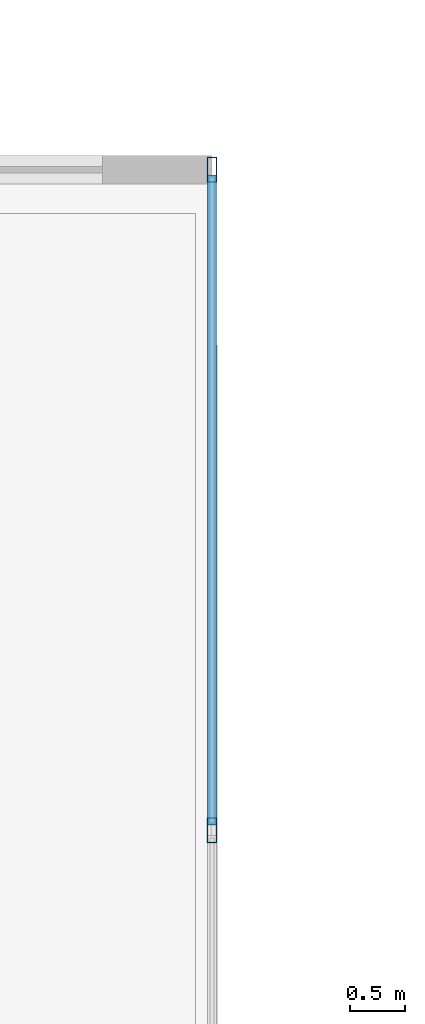
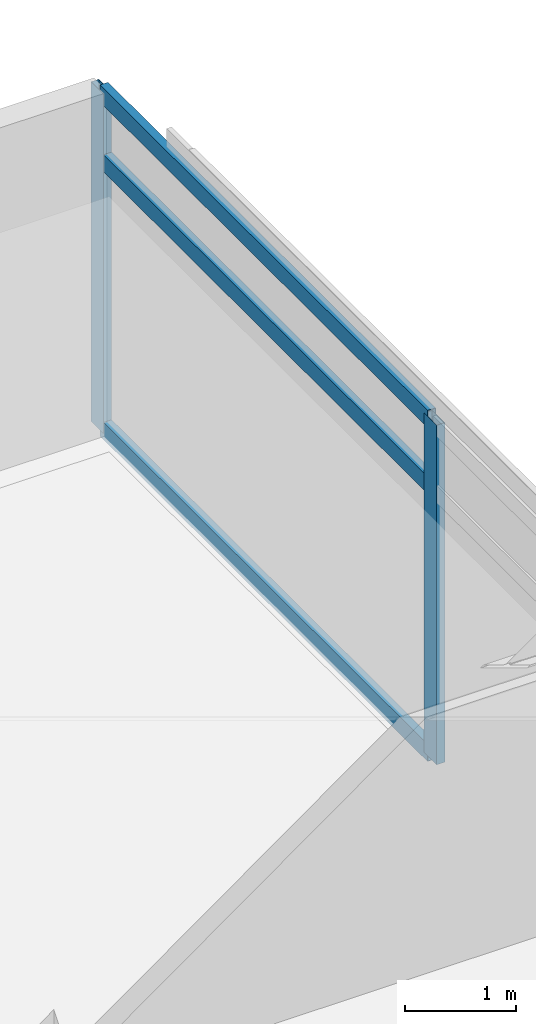
# One storey, part 11 of 20: 5 members, 1 element without a shape of its own.
"""IFC4 building model written with IfcOpenShell, lengths in metres."""

import ifcopenshell
import ifcopenshell.guid

model = None  # the IFC model being written
_history = None  # IfcOwnerHistory: only IFC2X3 demands one
_inside = {}  # id of a spatial element -> (the spatial element, [elements in it])
_under = {}  # id of a project, library or spatial element -> (it, [spatial elements below it])
_declared = {}  # id of a project -> (the project, [libraries it declares])
_typed = {}  # id of a type object -> (the type object, [elements of that type])
_made_of = {}  # id of a material, layer set ... -> (it, [elements and type objects made of it])


def new_model(schema):
    """Start an empty IFC model of exactly this schema.

    Asked for "IFC4X3", IfcOpenShell would pick the latest addendum, in which some entities
    have other attributes; the version numbers below select the first issue.
    IFC2X3 requires an IfcOwnerHistory on every rooted entity: one is made here for all.
    """
    global model, _history
    if schema == "IFC4X3":
        model = ifcopenshell.file(schema_version=(4, 3, 0, 0))
    else:
        model = ifcopenshell.file(schema=schema)
    _inside.clear()
    _under.clear()
    _declared.clear()
    _typed.clear()
    _made_of.clear()
    _history = None
    if model.schema == "IFC2X3":
        org = make("IfcOrganization", Name="unknown")
        user = make(
            "IfcPersonAndOrganization",
            ThePerson=make("IfcPerson", FamilyName="unknown"),
            TheOrganization=org,
        )
        app = make(
            "IfcApplication",
            ApplicationDeveloper=org,
            Version="unknown",
            ApplicationFullName="unknown",
            ApplicationIdentifier="unknown",
        )
        _history = make(
            "IfcOwnerHistory",
            OwningUser=user,
            OwningApplication=app,
            ChangeAction="ADDED",
            CreationDate=0,
        )
    return model


def make(cls, **values):
    """One entity of the class cls with the attributes given. An attribute that is None is left unset."""
    return model.create_entity(
        cls, **{name: value for name, value in values.items() if value is not None}
    )


def rooted(cls, **values):
    """An entity with a GlobalId (a new one), such as an element, a storey or a relation."""
    return make(cls, GlobalId=ifcopenshell.guid.new(), OwnerHistory=_history, **values)


def si_unit(unit_type, name, prefix=None):
    """IfcSIUnit, for example si_unit("LENGTHUNIT", "METRE", prefix="MILLI")."""
    return make("IfcSIUnit", UnitType=unit_type, Prefix=prefix, Name=name)


def assignment(units):
    """IfcUnitAssignment: the units of a project."""
    return None if units is None else make("IfcUnitAssignment", Units=units)


def point(xyz):
    """IfcCartesianPoint."""
    return None if xyz is None else make("IfcCartesianPoint", Coordinates=xyz)


def direction(xyz):
    """IfcDirection."""
    return None if xyz is None else make("IfcDirection", DirectionRatios=xyz)


def frame(location, z_axis=None, x_axis=None):
    """IfcAxis2Placement3D, a coordinate frame: its origin and axes. An axis left out is left unset."""
    return make(
        "IfcAxis2Placement3D",
        Location=point(location),
        Axis=direction(z_axis),
        RefDirection=direction(x_axis),
    )


def frame_2d(location, x_axis=None):
    """IfcAxis2Placement2D, a coordinate frame in the plane: its origin and x axis."""
    return make(
        "IfcAxis2Placement2D", Location=point(location), RefDirection=direction(x_axis)
    )


def origin():
    """The frame at (0, 0, 0) with its axes left unset."""
    return frame((0.0, 0.0, 0.0))


def origin_2d():
    """The frame at (0, 0) in the plane with its x axis left unset."""
    return frame_2d((0.0, 0.0))


def place(relative_to, where):
    """IfcLocalPlacement: puts the frame where relative to a parent placement (None: the world)."""
    return make(
        "IfcLocalPlacement", PlacementRelTo=relative_to, RelativePlacement=where
    )


def context(
    kind, dimensions, precision=None, world=None, true_north=None, identifier=None
):
    """IfcGeometricRepresentationContext, for example the 3D "Model" context."""
    return make(
        "IfcGeometricRepresentationContext",
        ContextIdentifier=identifier,
        ContextType=kind,
        CoordinateSpaceDimension=dimensions,
        Precision=precision,
        WorldCoordinateSystem=world,
        TrueNorth=true_north,
    )


def subcontext(parent, identifier, kind, view, scale=None):
    """IfcGeometricRepresentationSubContext, for example "Body" below "Model"."""
    return make(
        "IfcGeometricRepresentationSubContext",
        ContextIdentifier=identifier,
        ContextType=kind,
        ParentContext=parent,
        TargetScale=scale,
        TargetView=view,
    )


def project(units=None, contexts=None):
    """IfcProject with its units and contexts."""
    return rooted(
        "IfcProject",
        Name="project",
        RepresentationContexts=contexts,
        UnitsInContext=assignment(units),
    )


def spatial(cls, under=None, at=None, **own):
    """A site, building, storey or space (cls), placed at a placement, below another one or the project."""
    s = rooted(cls, ObjectPlacement=at, **own)
    if under is not None:
        _under.setdefault(under.id(), (under, []))[1].append(s)
    return s


def profile(cls, at=None, kind="AREA", **sizes):
    """A parametric profile (cls). Its sizes go by their IFC names, for example OverallWidth=200.0."""
    return make(cls, ProfileType=kind, Position=at, **sizes)


def hollow_rectangle(**sizes):
    """IfcRectangleHollowProfileDef."""
    return profile("IfcRectangleHollowProfileDef", **sizes)


def extrude(swept, where, along, depth):
    """IfcExtrudedAreaSolid: the profile swept, set in the frame where, extruded along a direction by depth."""
    return make(
        "IfcExtrudedAreaSolid",
        SweptArea=swept,
        Position=where,
        ExtrudedDirection=direction(along),
        Depth=depth,
    )


def shape(context_of_items, identifier, shape_type, items):
    """IfcShapeRepresentation: the items that make up one representation, for example the "Body"."""
    return make(
        "IfcShapeRepresentation",
        ContextOfItems=context_of_items,
        RepresentationIdentifier=identifier,
        RepresentationType=shape_type,
        Items=items,
    )


def material(Name=None, Category=None):
    """IfcMaterial."""
    return make("IfcMaterial", Name=Name, Category=Category)


def material_profile(
    of_material, cross_section, Name=None, Category=None, Priority=None
):
    """IfcMaterialProfile: a cross section and its material."""
    return make(
        "IfcMaterialProfile",
        Name=Name,
        Material=of_material,
        Profile=cross_section,
        Priority=Priority,
        Category=Category,
    )


def profile_set(profiles, Name=None, composite=None):
    """IfcMaterialProfileSet."""
    return make(
        "IfcMaterialProfileSet",
        Name=Name,
        MaterialProfiles=profiles,
        CompositeProfile=composite,
    )


def made_of(thing, what):
    """Note that an element or type object is made of a material, layer set ...; save() writes the relation."""
    if what is not None:
        _made_of.setdefault(what.id(), (what, []))[1].append(thing)
    return thing


def type_object(cls, material=None, **own):
    """A type object (cls), such as IfcWallType, which elements share."""
    return made_of(rooted(cls, **own), material)


def element(
    cls,
    number,
    at=None,
    inside=None,
    cuts=None,
    type_object=None,
    material=None,
    context=None,
    identifier="Body",
    shape_type=None,
    held_by="IfcProductDefinitionShape",
    body=None,
    shapes=None,
    **own,
):
    """One element of the class cls, such as IfcWall. Its Tag is "e" and its number.

    at: its placement. inside: the storey or other place that contains it. cuts: it is an
    opening in that element (IfcRelVoidsElement). A single representation is given by context,
    identifier, shape_type and body (its items); several are given by shapes. held_by: the class
    of the entity that holds the representations. save() writes the other relations.
    """
    e = rooted(cls, Tag="e%d" % number, ObjectPlacement=at, **own)
    if body is not None:
        shapes = [shape(context, identifier, shape_type, body)]
    if shapes is not None:
        e.Representation = make(held_by, Representations=shapes)
    if inside is not None:
        _inside.setdefault(inside.id(), (inside, []))[1].append(e)
    if cuts is not None:
        rooted(
            "IfcRelVoidsElement", RelatingBuildingElement=cuts, RelatedOpeningElement=e
        )
    if type_object is not None:
        _typed.setdefault(type_object.id(), (type_object, []))[1].append(e)
    return made_of(e, material)


def aggregate(whole, parts):
    """IfcRelAggregates: a whole, such as a stair, and the parts it consists of."""
    return rooted("IfcRelAggregates", RelatingObject=whole, RelatedObjects=parts)


def save(model, path):
    """Write the relations noted so far, then the file.

    IfcRelAggregates (storeys below a building ...), IfcRelContainedInSpatialStructure (elements
    in a storey), IfcRelDefinesByType, IfcRelAssociatesMaterial and IfcRelDeclares: one each for
    every whole, place, type object, material and project.
    """
    for whole, parts in _under.values():
        aggregate(whole, parts)
    for where, things in _inside.values():
        rooted(
            "IfcRelContainedInSpatialStructure",
            RelatedElements=things,
            RelatingStructure=where,
        )
    for kind, things in _typed.values():
        rooted("IfcRelDefinesByType", RelatedObjects=things, RelatingType=kind)
    for what, things in _made_of.values():
        rooted("IfcRelAssociatesMaterial", RelatedObjects=things, RelatingMaterial=what)
    for by, libraries in _declared.values():
        rooted("IfcRelDeclares", RelatingContext=by, RelatedDefinitions=libraries)
    model.write(path)


model = new_model("IFC4")

# Units and contexts
model_context = context("Model", 3, precision=1e-05, world=origin(), true_north=direction((0.0, 1.0)))
body_context = subcontext(model_context, "Body", "Model", "MODEL_VIEW")
ifc_project = project(units=[si_unit("LENGTHUNIT", "METRE"), si_unit("AREAUNIT", "SQUARE_METRE"), si_unit("VOLUMEUNIT", "CUBIC_METRE"), si_unit("PLANEANGLEUNIT", "RADIAN"), si_unit("MASSUNIT", "GRAM", prefix="KILO")], contexts=[model_context])

# Site, building, storey
site_placement = place(None, origin())
site = spatial("IfcSite", under=ifc_project, at=site_placement, CompositionType="ELEMENT")
building_placement = place(site_placement, origin())
building = spatial("IfcBuilding", under=site, at=building_placement, Name="Kovane Verandah Tower", CompositionType="ELEMENT")
storey_placement = place(building_placement, frame((0.0, 0.0, 334.800048828125)))
storey = spatial("IfcBuildingStorey", under=building, at=storey_placement, Name="L78", CompositionType="ELEMENT", Elevation=334.800048828125)

# Curtain wall, members
ifc_material_1 = material(Name="Champagne Anodised Aluminium Frame with Low-E Clear Laminated Glass", Category="aluminium")
curtain_wall_type = type_object("IfcCurtainWallType", Name="CW-SYS-05-HIGH", PredefinedType="NOTDEFINED", material=ifc_material_1)
curtain_wall_placement = place(storey_placement, origin())
curtain_wall = element("IfcCurtainWall", 1, at=curtain_wall_placement, inside=storey, type_object=curtain_wall_type, Name="L78 E Unitised Curtain Wall", PredefinedType="NOTDEFINED")
ifc_material_2 = material(Name="Champagne Anodised Aluminium 6063-T6", Category="aluminium")
ifc_material_profile_1 = material_profile(ifc_material_2, hollow_rectangle(XDim=0.0849609375, YDim=0.22998046875, WallThickness=0.00390625, at=origin_2d()), Name="AL85x230x4")
ifc_profile_set_1 = profile_set([ifc_material_profile_1], Name="Champagne Anodised Aluminium 6063-T6")
member_type_1 = type_object("IfcMemberType", Name="CW-MUL-85x230", PredefinedType="MULLION", material=ifc_profile_set_1)
member_1_placement = place(storey_placement, frame((64.344482421875, 39.548095703125, 0.02001953125), z_axis=(0.0, 0.0, 1.0), x_axis=(1.0, 0.0, 0.0)))
member_1 = element("IfcMember", 2, at=member_1_placement, type_object=member_type_1, Name="L78 E Unitised Curtain Wall Mullion 6", PredefinedType="MULLION", context=body_context, shape_type="SweptSolid", body=[
    extrude(hollow_rectangle(XDim=0.0849609375, YDim=0.22998046875, WallThickness=0.00390625, at=origin_2d()), origin(), (0.0, 0.0, 1.0), 3.744873046875),
])
member_2_placement = place(storey_placement, frame((64.344482421875, 45.572265625, 0.02001953125), z_axis=(0.0, 0.0, 1.0), x_axis=(1.0, 0.0, 0.0)))
member_2 = element("IfcMember", 3, at=member_2_placement, type_object=member_type_1, Name="L78 E Unitised Curtain Wall Mullion 7", PredefinedType="MULLION", context=body_context, shape_type="SweptSolid", body=[
    extrude(hollow_rectangle(XDim=0.0849609375, YDim=0.22998046875, WallThickness=0.00390625, at=origin_2d()), origin(), (0.0, 0.0, 1.0), 3.744873046875),
])
ifc_material_profile_2 = material_profile(ifc_material_2, hollow_rectangle(XDim=0.0849609375, YDim=0.18994140625, WallThickness=0.00390625, at=origin_2d()), Name="AL85x190x4")
ifc_profile_set_2 = profile_set([ifc_material_profile_2], Name="Champagne Anodised Aluminium 6063-T6")
member_type_2 = type_object("IfcMemberType", Name="CW-TRN-85x190", PredefinedType="USERDEFINED", material=ifc_profile_set_2)
member_3_placement = place(storey_placement, frame((64.344482421875, 39.59814453125, 0.050048828125), z_axis=(0.0, 1.0, 0.0), x_axis=(-1.0, 0.0, 0.0)))
member_3 = element("IfcMember", 4, at=member_3_placement, type_object=member_type_2, Name="L78 E Unitised Curtain Wall Transom TB Bay 6", ObjectType="TRANSOM", PredefinedType="USERDEFINED", context=body_context, shape_type="SweptSolid", body=[
    extrude(hollow_rectangle(XDim=0.0849609375, YDim=0.18994140625, WallThickness=0.00390625, at=origin_2d()), origin(), (0.0, 0.0, 1.0), 5.924072265625),
])
member_4_placement = place(storey_placement, frame((64.344482421875, 39.59814453125, 3.0048828125), z_axis=(0.0, 1.0, 0.0), x_axis=(-1.0, 0.0, 0.0)))
member_4 = element("IfcMember", 5, at=member_4_placement, type_object=member_type_2, Name="L78 E Unitised Curtain Wall Transom TM Bay 6", ObjectType="TRANSOM", PredefinedType="USERDEFINED", context=body_context, shape_type="SweptSolid", body=[
    extrude(hollow_rectangle(XDim=0.0849609375, YDim=0.18994140625, WallThickness=0.00390625, at=origin_2d()), origin(), (0.0, 0.0, 1.0), 5.924072265625),
])
member_5_placement = place(storey_placement, frame((64.344482421875, 39.59814453125, 3.73486328125), z_axis=(0.0, 1.0, 0.0), x_axis=(-1.0, 0.0, 0.0)))
member_5 = element("IfcMember", 6, at=member_5_placement, type_object=member_type_2, Name="L78 E Unitised Curtain Wall Transom TT Bay 6", ObjectType="TRANSOM", PredefinedType="USERDEFINED", context=body_context, shape_type="SweptSolid", body=[
    extrude(hollow_rectangle(XDim=0.0849609375, YDim=0.18994140625, WallThickness=0.00390625, at=origin_2d()), origin(), (0.0, 0.0, 1.0), 5.924072265625),
])
aggregate(curtain_wall, [member_1, member_2, member_3, member_4, member_5])

save(model, "model.ifc")
